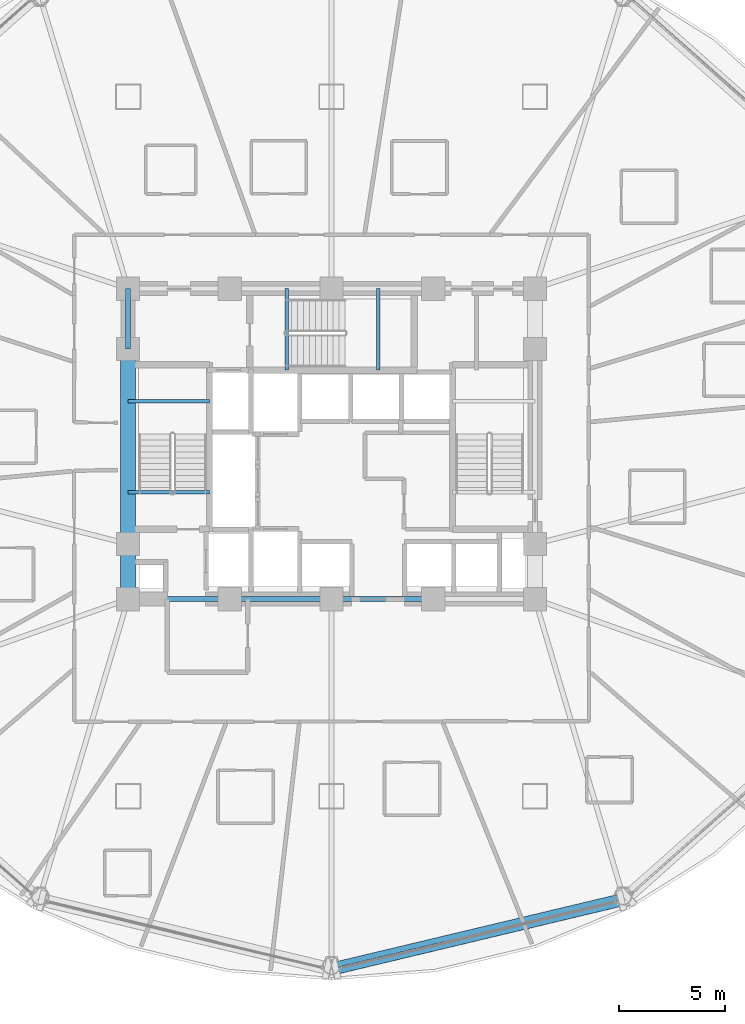
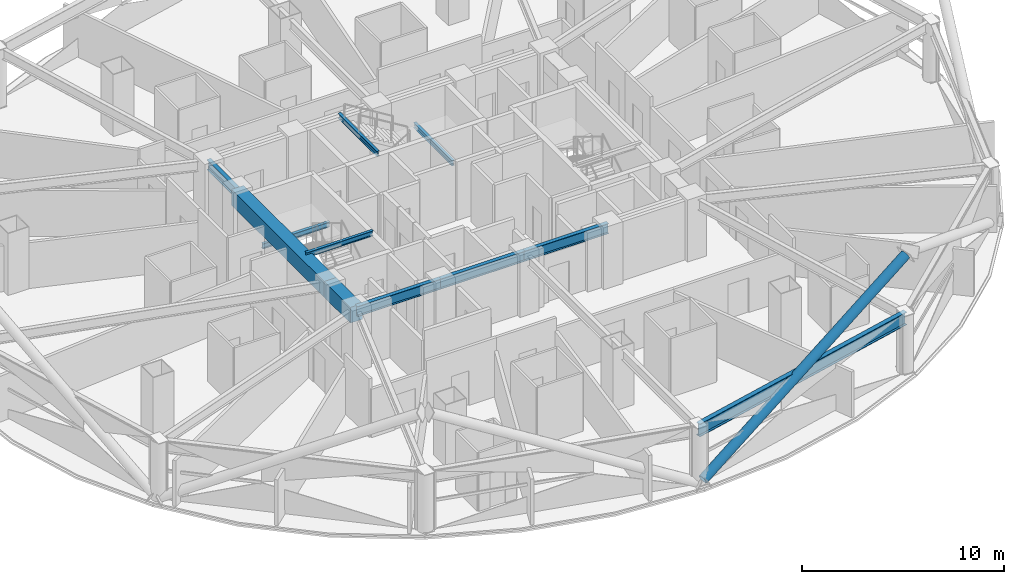
# One storey, part 7 of 30: 11 beams, 1 member.
"""IFC4 building model written with IfcOpenShell, lengths in metres."""

from ifc_helpers import new_model, si_unit, direction, frame, origin, origin_2d, place, context, subcontext, project, spatial, rectangle, hollow_circle, i_section, extrude, material, material_profile, profile_set, type_object, element, save


model = new_model("IFC4")

# Units and contexts
model_context = context("Model", 3, precision=1e-05, world=origin(), true_north=direction((0.0, 1.0)))
body_context = subcontext(model_context, "Body", "Model", "MODEL_VIEW")
ifc_project = project(units=[si_unit("LENGTHUNIT", "METRE"), si_unit("AREAUNIT", "SQUARE_METRE"), si_unit("VOLUMEUNIT", "CUBIC_METRE"), si_unit("PLANEANGLEUNIT", "RADIAN"), si_unit("MASSUNIT", "GRAM", prefix="KILO")], contexts=[model_context])

# Site, building, storey
site_placement = place(None, origin())
site = spatial("IfcSite", under=ifc_project, at=site_placement, CompositionType="ELEMENT")
building_placement = place(site_placement, origin())
building = spatial("IfcBuilding", under=site, at=building_placement, Name="Vantalir Tower", CompositionType="ELEMENT")
storey_placement = place(building_placement, frame((0.0, 0.0, 79.5)))
storey = spatial("IfcBuildingStorey", under=building, at=storey_placement, Name="L19", CompositionType="ELEMENT", Elevation=79.5)

# Beams
ifc_material_1 = material(Name="Concrete C60/75", Category="concrete")
ifc_material_profile_1 = material_profile(ifc_material_1, rectangle(XDim=0.699951171875, YDim=0.949951171875, at=origin_2d()), Name="Concrete C60/75")
ifc_profile_set_1 = profile_set([ifc_material_profile_1], Name="Concrete C60/75")
beam_type_1 = type_object("IfcBeamType", Name="BM-CB-700x950", PredefinedType="USERDEFINED", material=ifc_profile_set_1)
beam_1_placement = place(storey_placement, frame((21.89990234375, 29.60009765625, 3.094970703125), z_axis=(0.0, -1.0, 0.0), x_axis=(1.0, 0.0, 0.0)))
element("IfcBeam", 1, at=beam_1_placement, inside=storey, type_object=beam_type_1, Name="L19 Core Coupling Girder 13", ObjectType="GIRDER", PredefinedType="USERDEFINED", context=body_context, shape_type="SweptSolid", body=[
    extrude(rectangle(XDim=0.699951171875, YDim=0.949951171875, at=origin_2d()), origin(), (0.0, 0.0, 1.0), 9.2001953125),
])
beam_2_placement = place(storey_placement, frame((21.89990234375, 20.39990234375, 3.094970703125), z_axis=(0.0, -1.0, 0.0), x_axis=(1.0, 0.0, 0.0)))
element("IfcBeam", 2, at=beam_2_placement, inside=storey, type_object=beam_type_1, Name="L19 Core Coupling Girder 14", ObjectType="GIRDER", PredefinedType="USERDEFINED", context=body_context, shape_type="SweptSolid", body=[
    extrude(rectangle(XDim=0.699951171875, YDim=0.949951171875, at=origin_2d()), origin(), (0.0, 0.0, 1.0), 2.599853515625),
])
ifc_material_2 = material(Name="Steel S355", Category="steel")
ifc_material_profile_2 = material_profile(ifc_material_2, i_section(OverallWidth=0.166015625, OverallDepth=0.306884765625, WebThickness=0.006591796875, FlangeThickness=0.01171875, at=origin_2d()), Name="Steel S355")
ifc_profile_set_2 = profile_set([ifc_material_profile_2], Name="Steel S355")
beam_type_2 = type_object("IfcBeamType", Name="BM-JS-305x165", PredefinedType="JOIST", material=ifc_profile_set_2)
for number, where, z_axis, x_axis, name in (
    (3, (21.89990234375, 22.8349609375, 3.595947265625), (1.0, 0.0, 0.0), (0.0, 1.0, 0.0), "L20 Stair ST1 Well Nosing Trimmer Beam"),
    (4, (21.89990234375, 27.14501953125, 1.52197265625), (1.0, 0.0, 0.0), (0.0, 1.0, 0.0), "L19 Stair ST1 Half-Landing Support Beam"),
):
    element("IfcBeam", number, at=place(storey_placement, frame(where, z_axis=z_axis, x_axis=x_axis)), inside=storey, type_object=beam_type_2, Name=name, PredefinedType="JOIST", context=body_context, shape_type="SweptSolid", body=[
        extrude(i_section(OverallWidth=0.166015625, OverallDepth=0.306884765625, WebThickness=0.006591796875, FlangeThickness=0.01171875, at=origin_2d()), origin(), (0.0, 0.0, 1.0), 3.840087890625),
    ])
for number, where, z_axis, x_axis, name in (
    (5, (29.385009765625, 28.60009765625, 3.595947265625), (0.0, 1.0, 0.0), (-1.0, 0.0, 0.0), "L20 Stair ST3 Well Nosing Trimmer Beam"),
    (6, (33.695068359375, 28.60009765625, 1.52197265625), (0.0, 1.0, 0.0), (-1.0, 0.0, 0.0), "L19 Stair ST3 Half-Landing Support Beam"),
):
    element("IfcBeam", number, at=place(storey_placement, frame(where, z_axis=z_axis, x_axis=x_axis)), inside=storey, type_object=beam_type_2, Name=name, PredefinedType="JOIST", context=body_context, shape_type="SweptSolid", body=[
        extrude(i_section(OverallWidth=0.166015625, OverallDepth=0.306884765625, WebThickness=0.006591796875, FlangeThickness=0.01171875, at=origin_2d()), origin(), (0.0, 0.0, 1.0), 3.849853515625),
    ])
ifc_material_profile_3 = material_profile(ifc_material_2, i_section(OverallWidth=0.22998046875, OverallDepth=0.616943359375, WebThickness=0.01318359375, FlangeThickness=0.022216796875, at=origin_2d()), Name="Steel S355")
ifc_profile_set_3 = profile_set([ifc_material_profile_3], Name="Steel S355")
beam_type_3 = type_object("IfcBeamType", Name="BM-RB-610x229", PredefinedType="BEAM", material=ifc_profile_set_3)
for number, where, z_axis, x_axis, name in (
    (7, (21.89990234375, 17.800048828125, 3.261962890625), (1.0, 0.0, 0.0), (0.0, 1.0, 0.0), "L19 Core Coupling Girder 01"),
    (8, (26.699951171875, 17.800048828125, 3.261962890625), (1.0, 0.0, 0.0), (0.0, 1.0, 0.0), "L19 Core Coupling Girder 02"),
    (9, (31.5, 17.800048828125, 3.261962890625), (1.0, 0.0, 0.0), (0.0, 1.0, 0.0), "L19 Core Coupling Girder 03"),
):
    element("IfcBeam", number, at=place(storey_placement, frame(where, z_axis=z_axis, x_axis=x_axis)), inside=storey, type_object=beam_type_3, Name=name, PredefinedType="BEAM", context=body_context, shape_type="SweptSolid", body=[
        extrude(i_section(OverallWidth=0.22998046875, OverallDepth=0.616943359375, WebThickness=0.01318359375, FlangeThickness=0.022216796875, at=origin_2d()), origin(), (0.0, 0.0, 1.0), 4.800048828125),
    ])
beam_3_placement = place(storey_placement, frame((21.89990234375, 32.449951171875, 3.261962890625), z_axis=(0.0, -1.0, 0.0), x_axis=(1.0, 0.0, 0.0)))
element("IfcBeam", 10, at=beam_3_placement, inside=storey, type_object=beam_type_3, Name="L19 Core Coupling Girder 12", PredefinedType="BEAM", context=body_context, shape_type="SweptSolid", body=[
    extrude(i_section(OverallWidth=0.22998046875, OverallDepth=0.616943359375, WebThickness=0.01318359375, FlangeThickness=0.022216796875, at=origin_2d()), origin(), (0.0, 0.0, 1.0), 2.849853515625),
])
ifc_material_3 = material(Name="Steel S460", Category="steel")
ifc_material_profile_4 = material_profile(ifc_material_3, i_section(OverallWidth=0.26806640625, OverallDepth=0.77001953125, WebThickness=0.015625, FlangeThickness=0.025390625, at=origin_2d()), Name="Steel S460")
ifc_profile_set_4 = profile_set([ifc_material_profile_4], Name="Steel S460")
beam_type_4 = type_object("IfcBeamType", Name="BM-RG-762x267", PredefinedType="USERDEFINED", material=ifc_profile_set_4)
beam_4_placement = place(storey_placement, frame((31.5, 0.5048828125, 3.18505859375), z_axis=(0.972671890468, 0.232183964763, 0.0), x_axis=(-0.232183964763, 0.972671890468, 0.0)))
element("IfcBeam", 11, at=beam_4_placement, inside=storey, type_object=beam_type_4, Name="L19 Circumferential Ring Girder 10", ObjectType="GIRDER", PredefinedType="USERDEFINED", context=body_context, shape_type="SweptSolid", body=[
    extrude(i_section(OverallWidth=0.26806640625, OverallDepth=0.77001953125, WebThickness=0.015625, FlangeThickness=0.025390625, at=origin_2d()), origin(), (0.0, 0.0, 1.0), 14.13623046875),
])

# Member
ifc_material_profile_5 = material_profile(ifc_material_3, hollow_circle(Radius=0.27001953125, WallThickness=0.044921875, at=origin_2d()), Name="Steel S460")
ifc_profile_set_5 = profile_set([ifc_material_profile_5], Name="Steel S460")
member_type = type_object("IfcMemberType", Name="MEM-DB-540x45", PredefinedType="BRACE", material=ifc_profile_set_5)
member_placement = place(storey_placement, frame((31.69091796875, 0.361083984375, 0.178955078125), z_axis=(0.868927817493, 0.207490098844, 0.449346533166), x_axis=(-0.232258742667, 0.972654037392, 0.0)))
element("IfcMember", 12, at=member_placement, inside=storey, type_object=member_type, Name="L19 Perimeter S460 Diagrid Brace R28L", PredefinedType="BRACE", context=body_context, shape_type="SweptSolid", body=[
    extrude(hollow_circle(Radius=0.27001953125, WallThickness=0.044921875, at=origin_2d()), origin(), (0.0, 0.0, 1.0), 15.493896484375),
])

save(model, "model.ifc")
